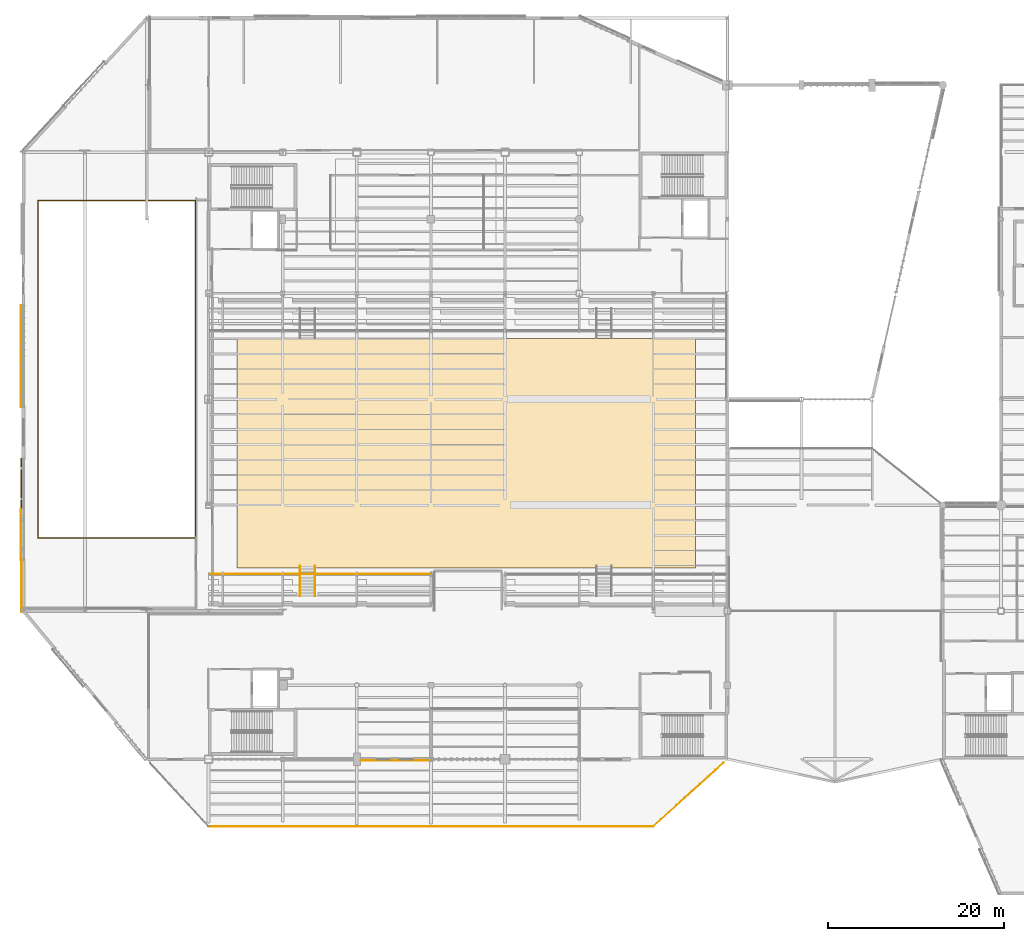
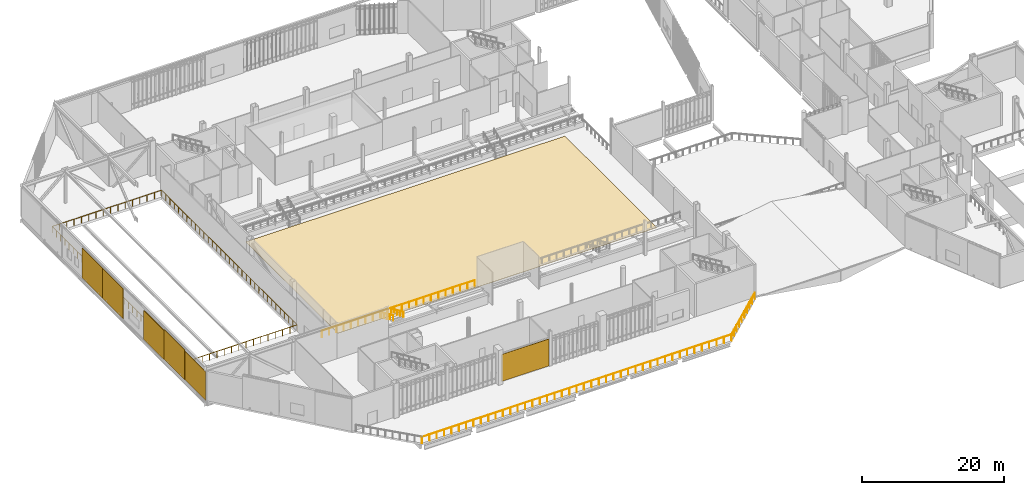
# One storey, part 122 of 135: 5 railings, 4 shading devices, 3 coverings.
"""IFC4 building model written with IfcOpenShell, lengths in metres."""

from ifc_helpers import new_model, si_unit, direction, frame, origin, origin_2d, place, context, subcontext, project, spatial, polyline, rectangle, circle, outline, extrude, material, layer, layer_set, type_object, element, save


model = new_model("IFC4")

# Units and contexts
model_context = context("Model", 3, precision=1e-05, world=origin(), true_north=direction((0.0, 1.0)))
body_context = subcontext(model_context, "Body", "Model", "MODEL_VIEW")
ifc_project = project(units=[si_unit("LENGTHUNIT", "METRE"), si_unit("AREAUNIT", "SQUARE_METRE"), si_unit("VOLUMEUNIT", "CUBIC_METRE"), si_unit("PLANEANGLEUNIT", "RADIAN"), si_unit("MASSUNIT", "GRAM", prefix="KILO")], contexts=[model_context])

# Site, building, storey
site_placement = place(None, origin())
site = spatial("IfcSite", under=ifc_project, at=site_placement, CompositionType="ELEMENT")
building_placement = place(site_placement, origin())
building = spatial("IfcBuilding", under=site, at=building_placement, Name="Larkvane Passage Sports Hall", CompositionType="ELEMENT")
storey_placement = place(building_placement, frame((0.0, 0.0, 10.800048828125)))
storey = spatial("IfcBuildingStorey", under=building, at=storey_placement, Name="L02", CompositionType="ELEMENT", Elevation=10.800048828125)

# Coverings
ifc_material_1 = material(Name="Sprung maple sports floor")
ifc_layer_1 = layer(ifc_material_1, 0.0400390625)
ifc_layer_set_1 = layer_set([ifc_layer_1], Name="Sprung maple sports floor")
covering_type_1 = type_object("IfcCoveringType", Name="COV-FLR-MAPLE", PredefinedType="FLOORING", material=ifc_layer_set_1)
covering_1_placement = place(storey_placement, origin())
element("IfcCovering", 1, at=covering_1_placement, inside=storey, type_object=covering_type_1, Name="Main show court competition maple floor", PredefinedType="FLOORING", context=body_context, shape_type="SweptSolid", body=[
    extrude(outline(polyline([(38.0, 44.5), (90.0, 44.5), (90.0, 70.5), (38.0, 70.5), (38.0, 44.5)])), origin(), (0.0, 0.0, 1.0), 0.0400390625),
])
ifc_material_2 = material(Name="Perforated anodised aluminium 5052-H32", Category="aluminium")
ifc_layer_2 = layer(ifc_material_2, 0.050048828125)
ifc_layer_set_2 = layer_set([ifc_layer_2], Name="Perforated anodised aluminium 5052-H32")
covering_type_2 = type_object("IfcCoveringType", Name="COV-MESH-VEIL", PredefinedType="CLADDING", material=ifc_layer_set_2)
covering_2_placement = place(storey_placement, frame((55.898193359375, 22.655029296875, 0.074951171875), z_axis=(0.0, 0.0, 1.0), x_axis=(-1.0, 0.0, 0.0)))
element("IfcCovering", 2, at=covering_2_placement, inside=storey, type_object=covering_type_2, Name="Perforated cladding cassette L02-148", PredefinedType="CLADDING", context=body_context, shape_type="SweptSolid", body=[
    extrude(rectangle(XDim=7.70458984375, YDim=0.050048828125, at=origin_2d()), origin(), (0.0, 0.0, 1.0), 4.64794921875),
])
covering_3_placement = place(storey_placement, frame((13.6025390625, 42.48876953125, 0.0751953125), z_axis=(0.0, 0.0, 1.0), x_axis=(0.0, 1.0, 0.0)))
element("IfcCovering", 3, at=covering_3_placement, inside=storey, type_object=covering_type_2, Name="Perforated cladding cassette L02-152", PredefinedType="CLADDING", context=body_context, shape_type="SweptSolid", body=[
    extrude(rectangle(XDim=6.009033203125, YDim=0.050048828125, at=origin_2d()), origin(), (0.0, 0.0, 1.0), 4.929931640625),
])

# Railings
ifc_material_3 = material(Name="Laminated toughened glass and stainless steel S355JR", Category="steel")
railing_type_1 = type_object("IfcRailingType", Name="RL-BALUST-1120", PredefinedType="BALUSTRADE", material=ifc_material_3)
railing_1_placement = place(storey_placement, frame((15.47998046875, 47.8798828125, 0.0)))
element("IfcRailing", 4, at=railing_1_placement, inside=storey, type_object=railing_type_1, Name="Atrium void balustrade L02-011", PredefinedType="BALUSTRADE", context=body_context, shape_type="SweptSolid", body=[
    extrude(circle(Radius=0.02392578125, at=origin_2d()), frame((0.001953125, 0.0, 1.09619140625), z_axis=(1.0, 0.0, 0.0), x_axis=(0.0, 1.0, 0.0)), (0.0, 0.0, 1.0), 17.836181640625),
    extrude(circle(Radius=0.02392578125, at=origin_2d()), frame((17.840087890625, 0.001953125, 1.09619140625), z_axis=(0.0, 1.0, 0.0), x_axis=(-1.0, 0.0, 0.0)), (0.0, 0.0, 1.0), 38.236328125),
    extrude(circle(Radius=0.02392578125, at=origin_2d()), frame((17.838134765625, 38.240234375, 1.09619140625), z_axis=(-1.0, 0.0, 0.0), x_axis=(0.0, -1.0, 0.0)), (0.0, 0.0, 1.0), 17.836181640625),
    extrude(circle(Radius=0.02392578125, at=origin_2d()), frame((0.0, 38.23828125, 1.09619140625), z_axis=(0.0, -1.0, 0.0), x_axis=(1.0, 0.0, 0.0)), (0.0, 0.0, 1.0), 38.236328125),
    extrude(circle(Radius=0.02099609375, at=origin_2d()), origin(), (0.0, 0.0, 1.0), 1.072021484375),
    extrude(circle(Radius=0.02099609375, at=origin_2d()), frame((1.189453125, 0.0, 0.0)), (0.0, 0.0, 1.0), 1.072021484375),
    extrude(circle(Radius=0.02099609375, at=origin_2d()), frame((2.378662109375, 0.0, 0.0)), (0.0, 0.0, 1.0), 1.072021484375),
    extrude(circle(Radius=0.02099609375, at=origin_2d()), frame((3.568115234375, 0.0, 0.0)), (0.0, 0.0, 1.0), 1.072021484375),
    extrude(circle(Radius=0.02099609375, at=origin_2d()), frame((4.75732421875, 0.0, 0.0)), (0.0, 0.0, 1.0), 1.072021484375),
    extrude(circle(Radius=0.02099609375, at=origin_2d()), frame((5.94677734375, 0.0, 0.0)), (0.0, 0.0, 1.0), 1.072021484375),
    extrude(circle(Radius=0.02099609375, at=origin_2d()), frame((7.135986328125, 0.0, 0.0)), (0.0, 0.0, 1.0), 1.072021484375),
    extrude(circle(Radius=0.02099609375, at=origin_2d()), frame((8.325439453125, 0.0, 0.0)), (0.0, 0.0, 1.0), 1.072021484375),
    extrude(circle(Radius=0.02099609375, at=origin_2d()), frame((9.5146484375, 0.0, 0.0)), (0.0, 0.0, 1.0), 1.072021484375),
    extrude(circle(Radius=0.02099609375, at=origin_2d()), frame((10.7041015625, 0.0, 0.0)), (0.0, 0.0, 1.0), 1.072021484375),
    extrude(circle(Radius=0.02099609375, at=origin_2d()), frame((11.893310546875, 0.0, 0.0)), (0.0, 0.0, 1.0), 1.072021484375),
    extrude(circle(Radius=0.02099609375, at=origin_2d()), frame((13.082763671875, 0.0, 0.0)), (0.0, 0.0, 1.0), 1.072021484375),
    extrude(circle(Radius=0.02099609375, at=origin_2d()), frame((14.27197265625, 0.0, 0.0)), (0.0, 0.0, 1.0), 1.072021484375),
    extrude(circle(Radius=0.02099609375, at=origin_2d()), frame((15.46142578125, 0.0, 0.0)), (0.0, 0.0, 1.0), 1.072021484375),
    extrude(circle(Radius=0.02099609375, at=origin_2d()), frame((16.650634765625, 0.0, 0.0)), (0.0, 0.0, 1.0), 1.072021484375),
    extrude(circle(Radius=0.02099609375, at=origin_2d()), frame((17.840087890625, 0.0, 0.0)), (0.0, 0.0, 1.0), 1.072021484375),
    extrude(circle(Radius=0.02099609375, at=origin_2d()), frame((17.840087890625, 1.195068359375, 0.0)), (0.0, 0.0, 1.0), 1.072021484375),
    extrude(circle(Radius=0.02099609375, at=origin_2d()), frame((17.840087890625, 2.39013671875, 0.0)), (0.0, 0.0, 1.0), 1.072021484375),
    extrude(circle(Radius=0.02099609375, at=origin_2d()), frame((17.840087890625, 3.5849609375, 0.0)), (0.0, 0.0, 1.0), 1.072021484375),
    extrude(circle(Radius=0.02099609375, at=origin_2d()), frame((17.840087890625, 4.780029296875, 0.0)), (0.0, 0.0, 1.0), 1.072021484375),
    extrude(circle(Radius=0.02099609375, at=origin_2d()), frame((17.840087890625, 5.97509765625, 0.0)), (0.0, 0.0, 1.0), 1.072021484375),
    extrude(circle(Radius=0.02099609375, at=origin_2d()), frame((17.840087890625, 7.169921875, 0.0)), (0.0, 0.0, 1.0), 1.072021484375),
    extrude(circle(Radius=0.02099609375, at=origin_2d()), frame((17.840087890625, 8.364990234375, 0.0)), (0.0, 0.0, 1.0), 1.072021484375),
    extrude(circle(Radius=0.02099609375, at=origin_2d()), frame((17.840087890625, 9.56005859375, 0.0)), (0.0, 0.0, 1.0), 1.072021484375),
    extrude(circle(Radius=0.02099609375, at=origin_2d()), frame((17.840087890625, 10.755126953125, 0.0)), (0.0, 0.0, 1.0), 1.072021484375),
    extrude(circle(Radius=0.02099609375, at=origin_2d()), frame((17.840087890625, 11.9501953125, 0.0)), (0.0, 0.0, 1.0), 1.072021484375),
    extrude(circle(Radius=0.02099609375, at=origin_2d()), frame((17.840087890625, 13.14501953125, 0.0)), (0.0, 0.0, 1.0), 1.072021484375),
    extrude(circle(Radius=0.02099609375, at=origin_2d()), frame((17.840087890625, 14.340087890625, 0.0)), (0.0, 0.0, 1.0), 1.072021484375),
    extrude(circle(Radius=0.02099609375, at=origin_2d()), frame((17.840087890625, 15.53515625, 0.0)), (0.0, 0.0, 1.0), 1.072021484375),
    extrude(circle(Radius=0.02099609375, at=origin_2d()), frame((17.840087890625, 16.72998046875, 0.0)), (0.0, 0.0, 1.0), 1.072021484375),
    extrude(circle(Radius=0.02099609375, at=origin_2d()), frame((17.840087890625, 17.925048828125, 0.0)), (0.0, 0.0, 1.0), 1.072021484375),
    extrude(circle(Radius=0.02099609375, at=origin_2d()), frame((17.840087890625, 19.1201171875, 0.0)), (0.0, 0.0, 1.0), 1.072021484375),
    extrude(circle(Radius=0.02099609375, at=origin_2d()), frame((17.840087890625, 20.315185546875, 0.0)), (0.0, 0.0, 1.0), 1.072021484375),
    extrude(circle(Radius=0.02099609375, at=origin_2d()), frame((17.840087890625, 21.51025390625, 0.0)), (0.0, 0.0, 1.0), 1.072021484375),
    extrude(circle(Radius=0.02099609375, at=origin_2d()), frame((17.840087890625, 22.705078125, 0.0)), (0.0, 0.0, 1.0), 1.072021484375),
    extrude(circle(Radius=0.02099609375, at=origin_2d()), frame((17.840087890625, 23.900146484375, 0.0)), (0.0, 0.0, 1.0), 1.072021484375),
    extrude(circle(Radius=0.02099609375, at=origin_2d()), frame((17.840087890625, 25.09521484375, 0.0)), (0.0, 0.0, 1.0), 1.072021484375),
    extrude(circle(Radius=0.02099609375, at=origin_2d()), frame((17.840087890625, 26.2900390625, 0.0)), (0.0, 0.0, 1.0), 1.072021484375),
    extrude(circle(Radius=0.02099609375, at=origin_2d()), frame((17.840087890625, 27.485107421875, 0.0)), (0.0, 0.0, 1.0), 1.072021484375),
    extrude(circle(Radius=0.02099609375, at=origin_2d()), frame((17.840087890625, 28.68017578125, 0.0)), (0.0, 0.0, 1.0), 1.072021484375),
    extrude(circle(Radius=0.02099609375, at=origin_2d()), frame((17.840087890625, 29.875244140625, 0.0)), (0.0, 0.0, 1.0), 1.072021484375),
    extrude(circle(Radius=0.02099609375, at=origin_2d()), frame((17.840087890625, 31.0703125, 0.0)), (0.0, 0.0, 1.0), 1.072021484375),
    extrude(circle(Radius=0.02099609375, at=origin_2d()), frame((17.840087890625, 32.26513671875, 0.0)), (0.0, 0.0, 1.0), 1.072021484375),
    extrude(circle(Radius=0.02099609375, at=origin_2d()), frame((17.840087890625, 33.460205078125, 0.0)), (0.0, 0.0, 1.0), 1.072021484375),
    extrude(circle(Radius=0.02099609375, at=origin_2d()), frame((17.840087890625, 34.6552734375, 0.0)), (0.0, 0.0, 1.0), 1.072021484375),
    extrude(circle(Radius=0.02099609375, at=origin_2d()), frame((17.840087890625, 35.85009765625, 0.0)), (0.0, 0.0, 1.0), 1.072021484375),
    extrude(circle(Radius=0.02099609375, at=origin_2d()), frame((17.840087890625, 37.045166015625, 0.0)), (0.0, 0.0, 1.0), 1.072021484375),
    extrude(circle(Radius=0.02099609375, at=origin_2d()), frame((17.840087890625, 38.240234375, 0.0)), (0.0, 0.0, 1.0), 1.072021484375),
    extrude(circle(Radius=0.02099609375, at=origin_2d()), frame((16.650634765625, 38.240234375, 0.0)), (0.0, 0.0, 1.0), 1.072021484375),
    extrude(circle(Radius=0.02099609375, at=origin_2d()), frame((15.46142578125, 38.240234375, 0.0)), (0.0, 0.0, 1.0), 1.072021484375),
    extrude(circle(Radius=0.02099609375, at=origin_2d()), frame((14.27197265625, 38.240234375, 0.0)), (0.0, 0.0, 1.0), 1.072021484375),
    extrude(circle(Radius=0.02099609375, at=origin_2d()), frame((13.082763671875, 38.240234375, 0.0)), (0.0, 0.0, 1.0), 1.072021484375),
    extrude(circle(Radius=0.02099609375, at=origin_2d()), frame((11.893310546875, 38.240234375, 0.0)), (0.0, 0.0, 1.0), 1.072021484375),
    extrude(circle(Radius=0.02099609375, at=origin_2d()), frame((10.7041015625, 38.240234375, 0.0)), (0.0, 0.0, 1.0), 1.072021484375),
    extrude(circle(Radius=0.02099609375, at=origin_2d()), frame((9.5146484375, 38.240234375, 0.0)), (0.0, 0.0, 1.0), 1.072021484375),
    extrude(circle(Radius=0.02099609375, at=origin_2d()), frame((8.325439453125, 38.240234375, 0.0)), (0.0, 0.0, 1.0), 1.072021484375),
    extrude(circle(Radius=0.02099609375, at=origin_2d()), frame((7.135986328125, 38.240234375, 0.0)), (0.0, 0.0, 1.0), 1.072021484375),
    extrude(circle(Radius=0.02099609375, at=origin_2d()), frame((5.94677734375, 38.240234375, 0.0)), (0.0, 0.0, 1.0), 1.072021484375),
    extrude(circle(Radius=0.02099609375, at=origin_2d()), frame((4.75732421875, 38.240234375, 0.0)), (0.0, 0.0, 1.0), 1.072021484375),
    extrude(circle(Radius=0.02099609375, at=origin_2d()), frame((3.568115234375, 38.240234375, 0.0)), (0.0, 0.0, 1.0), 1.072021484375),
    extrude(circle(Radius=0.02099609375, at=origin_2d()), frame((2.378662109375, 38.240234375, 0.0)), (0.0, 0.0, 1.0), 1.072021484375),
    extrude(circle(Radius=0.02099609375, at=origin_2d()), frame((1.189453125, 38.240234375, 0.0)), (0.0, 0.0, 1.0), 1.072021484375),
    extrude(circle(Radius=0.02099609375, at=origin_2d()), frame((0.0, 38.240234375, 0.0)), (0.0, 0.0, 1.0), 1.072021484375),
    extrude(circle(Radius=0.02099609375, at=origin_2d()), frame((0.0, 37.045166015625, 0.0)), (0.0, 0.0, 1.0), 1.072021484375),
    extrude(circle(Radius=0.02099609375, at=origin_2d()), frame((0.0, 35.85009765625, 0.0)), (0.0, 0.0, 1.0), 1.072021484375),
    extrude(circle(Radius=0.02099609375, at=origin_2d()), frame((0.0, 34.6552734375, 0.0)), (0.0, 0.0, 1.0), 1.072021484375),
    extrude(circle(Radius=0.02099609375, at=origin_2d()), frame((0.0, 33.460205078125, 0.0)), (0.0, 0.0, 1.0), 1.072021484375),
    extrude(circle(Radius=0.02099609375, at=origin_2d()), frame((0.0, 32.26513671875, 0.0)), (0.0, 0.0, 1.0), 1.072021484375),
    extrude(circle(Radius=0.02099609375, at=origin_2d()), frame((0.0, 31.0703125, 0.0)), (0.0, 0.0, 1.0), 1.072021484375),
    extrude(circle(Radius=0.02099609375, at=origin_2d()), frame((0.0, 29.875244140625, 0.0)), (0.0, 0.0, 1.0), 1.072021484375),
    extrude(circle(Radius=0.02099609375, at=origin_2d()), frame((0.0, 28.68017578125, 0.0)), (0.0, 0.0, 1.0), 1.072021484375),
    extrude(circle(Radius=0.02099609375, at=origin_2d()), frame((0.0, 27.485107421875, 0.0)), (0.0, 0.0, 1.0), 1.072021484375),
    extrude(circle(Radius=0.02099609375, at=origin_2d()), frame((0.0, 26.2900390625, 0.0)), (0.0, 0.0, 1.0), 1.072021484375),
    extrude(circle(Radius=0.02099609375, at=origin_2d()), frame((0.0, 25.09521484375, 0.0)), (0.0, 0.0, 1.0), 1.072021484375),
    extrude(circle(Radius=0.02099609375, at=origin_2d()), frame((0.0, 23.900146484375, 0.0)), (0.0, 0.0, 1.0), 1.072021484375),
    extrude(circle(Radius=0.02099609375, at=origin_2d()), frame((0.0, 22.705078125, 0.0)), (0.0, 0.0, 1.0), 1.072021484375),
    extrude(circle(Radius=0.02099609375, at=origin_2d()), frame((0.0, 21.51025390625, 0.0)), (0.0, 0.0, 1.0), 1.072021484375),
    extrude(circle(Radius=0.02099609375, at=origin_2d()), frame((0.0, 20.315185546875, 0.0)), (0.0, 0.0, 1.0), 1.072021484375),
    extrude(circle(Radius=0.02099609375, at=origin_2d()), frame((0.0, 19.1201171875, 0.0)), (0.0, 0.0, 1.0), 1.072021484375),
    extrude(circle(Radius=0.02099609375, at=origin_2d()), frame((0.0, 17.925048828125, 0.0)), (0.0, 0.0, 1.0), 1.072021484375),
    extrude(circle(Radius=0.02099609375, at=origin_2d()), frame((0.0, 16.72998046875, 0.0)), (0.0, 0.0, 1.0), 1.072021484375),
    extrude(circle(Radius=0.02099609375, at=origin_2d()), frame((0.0, 15.53515625, 0.0)), (0.0, 0.0, 1.0), 1.072021484375),
    extrude(circle(Radius=0.02099609375, at=origin_2d()), frame((0.0, 14.340087890625, 0.0)), (0.0, 0.0, 1.0), 1.072021484375),
    extrude(circle(Radius=0.02099609375, at=origin_2d()), frame((0.0, 13.14501953125, 0.0)), (0.0, 0.0, 1.0), 1.072021484375),
    extrude(circle(Radius=0.02099609375, at=origin_2d()), frame((0.0, 11.9501953125, 0.0)), (0.0, 0.0, 1.0), 1.072021484375),
    extrude(circle(Radius=0.02099609375, at=origin_2d()), frame((0.0, 10.755126953125, 0.0)), (0.0, 0.0, 1.0), 1.072021484375),
    extrude(circle(Radius=0.02099609375, at=origin_2d()), frame((0.0, 9.56005859375, 0.0)), (0.0, 0.0, 1.0), 1.072021484375),
    extrude(circle(Radius=0.02099609375, at=origin_2d()), frame((0.0, 8.364990234375, 0.0)), (0.0, 0.0, 1.0), 1.072021484375),
    extrude(circle(Radius=0.02099609375, at=origin_2d()), frame((0.0, 7.169921875, 0.0)), (0.0, 0.0, 1.0), 1.072021484375),
    extrude(circle(Radius=0.02099609375, at=origin_2d()), frame((0.0, 5.97509765625, 0.0)), (0.0, 0.0, 1.0), 1.072021484375),
    extrude(circle(Radius=0.02099609375, at=origin_2d()), frame((0.0, 4.780029296875, 0.0)), (0.0, 0.0, 1.0), 1.072021484375),
    extrude(circle(Radius=0.02099609375, at=origin_2d()), frame((0.0, 3.5849609375, 0.0)), (0.0, 0.0, 1.0), 1.072021484375),
    extrude(circle(Radius=0.02099609375, at=origin_2d()), frame((0.0, 2.39013671875, 0.0)), (0.0, 0.0, 1.0), 1.072021484375),
    extrude(circle(Radius=0.02099609375, at=origin_2d()), frame((0.0, 1.195068359375, 0.0)), (0.0, 0.0, 1.0), 1.072021484375),
])
railing_2_placement = place(storey_placement, frame((35.0, 43.800048828125, 0.849853515625)))
element("IfcRailing", 5, at=railing_2_placement, inside=storey, type_object=railing_type_1, Name="Spectator stand front sightline guard SW", PredefinedType="BALUSTRADE", context=body_context, shape_type="SweptSolid", body=[
    extrude(circle(Radius=0.02392578125, at=origin_2d()), frame((0.001953125, 0.0, 1.09619140625), z_axis=(1.0, 0.0, 0.0), x_axis=(0.0, 1.0, 0.0)), (0.0, 0.0, 1.0), 24.89599609375),
    extrude(circle(Radius=0.02099609375, at=origin_2d()), origin(), (0.0, 0.0, 1.0), 1.072021484375),
    extrude(circle(Radius=0.02099609375, at=origin_2d()), frame((1.185791015625, 0.0, 0.0)), (0.0, 0.0, 1.0), 1.072021484375),
    extrude(circle(Radius=0.02099609375, at=origin_2d()), frame((2.371337890625, 0.0, 0.0)), (0.0, 0.0, 1.0), 1.072021484375),
    extrude(circle(Radius=0.02099609375, at=origin_2d()), frame((3.55712890625, 0.0, 0.0)), (0.0, 0.0, 1.0), 1.072021484375),
    extrude(circle(Radius=0.02099609375, at=origin_2d()), frame((4.742919921875, 0.0, 0.0)), (0.0, 0.0, 1.0), 1.072021484375),
    extrude(circle(Radius=0.02099609375, at=origin_2d()), frame((5.928466796875, 0.0, 0.0)), (0.0, 0.0, 1.0), 1.072021484375),
    extrude(circle(Radius=0.02099609375, at=origin_2d()), frame((7.1142578125, 0.0, 0.0)), (0.0, 0.0, 1.0), 1.072021484375),
    extrude(circle(Radius=0.02099609375, at=origin_2d()), frame((8.300048828125, 0.0, 0.0)), (0.0, 0.0, 1.0), 1.072021484375),
    extrude(circle(Radius=0.02099609375, at=origin_2d()), frame((9.485595703125, 0.0, 0.0)), (0.0, 0.0, 1.0), 1.072021484375),
    extrude(circle(Radius=0.02099609375, at=origin_2d()), frame((10.67138671875, 0.0, 0.0)), (0.0, 0.0, 1.0), 1.072021484375),
    extrude(circle(Radius=0.02099609375, at=origin_2d()), frame((11.857177734375, 0.0, 0.0)), (0.0, 0.0, 1.0), 1.072021484375),
    extrude(circle(Radius=0.02099609375, at=origin_2d()), frame((13.042724609375, 0.0, 0.0)), (0.0, 0.0, 1.0), 1.072021484375),
    extrude(circle(Radius=0.02099609375, at=origin_2d()), frame((14.228515625, 0.0, 0.0)), (0.0, 0.0, 1.0), 1.072021484375),
    extrude(circle(Radius=0.02099609375, at=origin_2d()), frame((15.414306640625, 0.0, 0.0)), (0.0, 0.0, 1.0), 1.072021484375),
    extrude(circle(Radius=0.02099609375, at=origin_2d()), frame((16.599853515625, 0.0, 0.0)), (0.0, 0.0, 1.0), 1.072021484375),
    extrude(circle(Radius=0.02099609375, at=origin_2d()), frame((17.78564453125, 0.0, 0.0)), (0.0, 0.0, 1.0), 1.072021484375),
    extrude(circle(Radius=0.02099609375, at=origin_2d()), frame((18.971435546875, 0.0, 0.0)), (0.0, 0.0, 1.0), 1.072021484375),
    extrude(circle(Radius=0.02099609375, at=origin_2d()), frame((20.156982421875, 0.0, 0.0)), (0.0, 0.0, 1.0), 1.072021484375),
    extrude(circle(Radius=0.02099609375, at=origin_2d()), frame((21.3427734375, 0.0, 0.0)), (0.0, 0.0, 1.0), 1.072021484375),
    extrude(circle(Radius=0.02099609375, at=origin_2d()), frame((22.528564453125, 0.0, 0.0)), (0.0, 0.0, 1.0), 1.072021484375),
    extrude(circle(Radius=0.02099609375, at=origin_2d()), frame((23.714111328125, 0.0, 0.0)), (0.0, 0.0, 1.0), 1.072021484375),
    extrude(circle(Radius=0.02099609375, at=origin_2d()), frame((24.89990234375, 0.0, 0.0)), (0.0, 0.0, 1.0), 1.072021484375),
])
ifc_material_4 = material(Name="Steel S355JR", Category="steel")
railing_type_2 = type_object("IfcRailingType", Name="RL-GUARD-1120", PredefinedType="GUARDRAIL", material=ifc_material_4)
railing_3_placement = place(storey_placement, frame((34.800048828125, 15.199951171875, 0.0)))
element("IfcRailing", 6, at=railing_3_placement, inside=storey, type_object=railing_type_2, Name="Terrace perimeter guardrail L02-009", PredefinedType="GUARDRAIL", context=body_context, shape_type="SweptSolid", body=[
    extrude(circle(Radius=0.02392578125, at=origin_2d()), frame((0.001953125, 0.0, 1.09619140625), z_axis=(1.0, 0.0, 0.0), x_axis=(0.0, 1.0, 0.0)), (0.0, 0.0, 1.0), 50.39599609375),
    extrude(circle(Radius=0.02392578125, at=origin_2d()), frame((50.4013671875, 0.001220703125, 1.09619140625), z_axis=(0.74154929023, 0.670898390339, 0.0), x_axis=(-0.670898390339, 0.74154929023, 0.0)), (0.0, 0.0, 1.0), 10.697998046875),
    extrude(circle(Radius=0.02099609375, at=origin_2d()), origin(), (0.0, 0.0, 1.0), 1.072021484375),
    extrude(circle(Radius=0.02099609375, at=origin_2d()), frame((1.199951171875, 0.0, 0.0)), (0.0, 0.0, 1.0), 1.072021484375),
    extrude(circle(Radius=0.02099609375, at=origin_2d()), frame((2.39990234375, 0.0, 0.0)), (0.0, 0.0, 1.0), 1.072021484375),
    extrude(circle(Radius=0.02099609375, at=origin_2d()), frame((3.60009765625, 0.0, 0.0)), (0.0, 0.0, 1.0), 1.072021484375),
    extrude(circle(Radius=0.02099609375, at=origin_2d()), frame((4.800048828125, 0.0, 0.0)), (0.0, 0.0, 1.0), 1.072021484375),
    extrude(circle(Radius=0.02099609375, at=origin_2d()), frame((6.0, 0.0, 0.0)), (0.0, 0.0, 1.0), 1.072021484375),
    extrude(circle(Radius=0.02099609375, at=origin_2d()), frame((7.199951171875, 0.0, 0.0)), (0.0, 0.0, 1.0), 1.072021484375),
    extrude(circle(Radius=0.02099609375, at=origin_2d()), frame((8.39990234375, 0.0, 0.0)), (0.0, 0.0, 1.0), 1.072021484375),
    extrude(circle(Radius=0.02099609375, at=origin_2d()), frame((9.60009765625, 0.0, 0.0)), (0.0, 0.0, 1.0), 1.072021484375),
    extrude(circle(Radius=0.02099609375, at=origin_2d()), frame((10.800048828125, 0.0, 0.0)), (0.0, 0.0, 1.0), 1.072021484375),
    extrude(circle(Radius=0.02099609375, at=origin_2d()), frame((12.0, 0.0, 0.0)), (0.0, 0.0, 1.0), 1.072021484375),
    extrude(circle(Radius=0.02099609375, at=origin_2d()), frame((13.199951171875, 0.0, 0.0)), (0.0, 0.0, 1.0), 1.072021484375),
    extrude(circle(Radius=0.02099609375, at=origin_2d()), frame((14.39990234375, 0.0, 0.0)), (0.0, 0.0, 1.0), 1.072021484375),
    extrude(circle(Radius=0.02099609375, at=origin_2d()), frame((15.599853515625, 0.0, 0.0)), (0.0, 0.0, 1.0), 1.072021484375),
    extrude(circle(Radius=0.02099609375, at=origin_2d()), frame((16.800048828125, 0.0, 0.0)), (0.0, 0.0, 1.0), 1.072021484375),
    extrude(circle(Radius=0.02099609375, at=origin_2d()), frame((18.0, 0.0, 0.0)), (0.0, 0.0, 1.0), 1.072021484375),
    extrude(circle(Radius=0.02099609375, at=origin_2d()), frame((19.199951171875, 0.0, 0.0)), (0.0, 0.0, 1.0), 1.072021484375),
    extrude(circle(Radius=0.02099609375, at=origin_2d()), frame((20.39990234375, 0.0, 0.0)), (0.0, 0.0, 1.0), 1.072021484375),
    extrude(circle(Radius=0.02099609375, at=origin_2d()), frame((21.599853515625, 0.0, 0.0)), (0.0, 0.0, 1.0), 1.072021484375),
    extrude(circle(Radius=0.02099609375, at=origin_2d()), frame((22.800048828125, 0.0, 0.0)), (0.0, 0.0, 1.0), 1.072021484375),
    extrude(circle(Radius=0.02099609375, at=origin_2d()), frame((24.0, 0.0, 0.0)), (0.0, 0.0, 1.0), 1.072021484375),
    extrude(circle(Radius=0.02099609375, at=origin_2d()), frame((25.199951171875, 0.0, 0.0)), (0.0, 0.0, 1.0), 1.072021484375),
    extrude(circle(Radius=0.02099609375, at=origin_2d()), frame((26.39990234375, 0.0, 0.0)), (0.0, 0.0, 1.0), 1.072021484375),
    extrude(circle(Radius=0.02099609375, at=origin_2d()), frame((27.599853515625, 0.0, 0.0)), (0.0, 0.0, 1.0), 1.072021484375),
    extrude(circle(Radius=0.02099609375, at=origin_2d()), frame((28.800048828125, 0.0, 0.0)), (0.0, 0.0, 1.0), 1.072021484375),
    extrude(circle(Radius=0.02099609375, at=origin_2d()), frame((30.0, 0.0, 0.0)), (0.0, 0.0, 1.0), 1.072021484375),
    extrude(circle(Radius=0.02099609375, at=origin_2d()), frame((31.199951171875, 0.0, 0.0)), (0.0, 0.0, 1.0), 1.072021484375),
    extrude(circle(Radius=0.02099609375, at=origin_2d()), frame((32.39990234375, 0.0, 0.0)), (0.0, 0.0, 1.0), 1.072021484375),
    extrude(circle(Radius=0.02099609375, at=origin_2d()), frame((33.599853515625, 0.0, 0.0)), (0.0, 0.0, 1.0), 1.072021484375),
    extrude(circle(Radius=0.02099609375, at=origin_2d()), frame((34.800048828125, 0.0, 0.0)), (0.0, 0.0, 1.0), 1.072021484375),
    extrude(circle(Radius=0.02099609375, at=origin_2d()), frame((36.0, 0.0, 0.0)), (0.0, 0.0, 1.0), 1.072021484375),
    extrude(circle(Radius=0.02099609375, at=origin_2d()), frame((37.199951171875, 0.0, 0.0)), (0.0, 0.0, 1.0), 1.072021484375),
    extrude(circle(Radius=0.02099609375, at=origin_2d()), frame((38.39990234375, 0.0, 0.0)), (0.0, 0.0, 1.0), 1.072021484375),
    extrude(circle(Radius=0.02099609375, at=origin_2d()), frame((39.599853515625, 0.0, 0.0)), (0.0, 0.0, 1.0), 1.072021484375),
    extrude(circle(Radius=0.02099609375, at=origin_2d()), frame((40.7998046875, 0.0, 0.0)), (0.0, 0.0, 1.0), 1.072021484375),
    extrude(circle(Radius=0.02099609375, at=origin_2d()), frame((42.0, 0.0, 0.0)), (0.0, 0.0, 1.0), 1.072021484375),
    extrude(circle(Radius=0.02099609375, at=origin_2d()), frame((43.199951171875, 0.0, 0.0)), (0.0, 0.0, 1.0), 1.072021484375),
    extrude(circle(Radius=0.02099609375, at=origin_2d()), frame((44.39990234375, 0.0, 0.0)), (0.0, 0.0, 1.0), 1.072021484375),
    extrude(circle(Radius=0.02099609375, at=origin_2d()), frame((45.599853515625, 0.0, 0.0)), (0.0, 0.0, 1.0), 1.072021484375),
    extrude(circle(Radius=0.02099609375, at=origin_2d()), frame((46.7998046875, 0.0, 0.0)), (0.0, 0.0, 1.0), 1.072021484375),
    extrude(circle(Radius=0.02099609375, at=origin_2d()), frame((48.0, 0.0, 0.0)), (0.0, 0.0, 1.0), 1.072021484375),
    extrude(circle(Radius=0.02099609375, at=origin_2d()), frame((49.199951171875, 0.0, 0.0)), (0.0, 0.0, 1.0), 1.072021484375),
    extrude(circle(Radius=0.02099609375, at=origin_2d()), frame((50.39990234375, 0.0, 0.0)), (0.0, 0.0, 1.0), 1.072021484375),
    extrude(circle(Radius=0.02099609375, at=origin_2d()), frame((51.28173828125, 0.7978515625, 0.0)), (0.0, 0.0, 1.0), 1.072021484375),
    extrude(circle(Radius=0.02099609375, at=origin_2d()), frame((52.16357421875, 1.595458984375, 0.0)), (0.0, 0.0, 1.0), 1.072021484375),
    extrude(circle(Radius=0.02099609375, at=origin_2d()), frame((53.045166015625, 2.393310546875, 0.0)), (0.0, 0.0, 1.0), 1.072021484375),
    extrude(circle(Radius=0.02099609375, at=origin_2d()), frame((53.927001953125, 3.191162109375, 0.0)), (0.0, 0.0, 1.0), 1.072021484375),
    extrude(circle(Radius=0.02099609375, at=origin_2d()), frame((54.808837890625, 3.98876953125, 0.0)), (0.0, 0.0, 1.0), 1.072021484375),
    extrude(circle(Radius=0.02099609375, at=origin_2d()), frame((55.690673828125, 4.78662109375, 0.0)), (0.0, 0.0, 1.0), 1.072021484375),
    extrude(circle(Radius=0.02099609375, at=origin_2d()), frame((56.572265625, 5.58447265625, 0.0)), (0.0, 0.0, 1.0), 1.072021484375),
    extrude(circle(Radius=0.02099609375, at=origin_2d()), frame((57.4541015625, 6.382080078125, 0.0)), (0.0, 0.0, 1.0), 1.072021484375),
    extrude(circle(Radius=0.02099609375, at=origin_2d()), frame((58.3359375, 7.179931640625, 0.0)), (0.0, 0.0, 1.0), 1.072021484375),
])
ifc_material_5 = material(Name="Stainless steel S355JR", Category="steel")
railing_type_3 = type_object("IfcRailingType", Name="RL-HAND-920", PredefinedType="HANDRAIL", material=ifc_material_5)
for number, where, name in (
    (7, (46.85009765625, 44.68994140625, 0.153564453125), "Spectator stair handrail ST-B1-L"),
    (8, (45.14990234375, 44.68994140625, 0.153564453125), "Spectator stair handrail ST-B1-R"),
):
    element("IfcRailing", number, at=place(storey_placement, frame(where)), inside=storey, type_object=railing_type_3, Name=name, PredefinedType="HANDRAIL", context=body_context, shape_type="SweptSolid", body=[
        extrude(circle(Radius=0.02392578125, at=origin_2d()), frame((0.0, -0.001708984375, 0.876708984375), z_axis=(0.0, -0.91127635095, 0.411795352329), x_axis=(1.0, 0.0, 0.0)), (0.0, 0.0, 1.0), 3.726806640625),
        extrude(circle(Radius=0.02099609375, at=origin_2d()), origin(), (0.0, 0.0, 1.0), 0.851806640625),
        extrude(circle(Radius=0.02099609375, at=origin_2d()), frame((0.0, -0.85009765625, 0.384033203125)), (0.0, 0.0, 1.0), 0.851806640625),
        extrude(circle(Radius=0.02099609375, at=origin_2d()), frame((0.0, -1.699951171875, 0.76806640625)), (0.0, 0.0, 1.0), 0.851806640625),
        extrude(circle(Radius=0.02099609375, at=origin_2d()), frame((0.0, -2.5498046875, 1.15234375)), (0.0, 0.0, 1.0), 0.851806640625),
        extrude(circle(Radius=0.02099609375, at=origin_2d()), frame((0.0, -3.39990234375, 1.536376953125)), (0.0, 0.0, 1.0), 0.851806640625),
    ])

# Shading devices
ifc_material_6 = material(Name="Extruded aluminium 6063-T6", Category="aluminium")
ifc_layer_3 = layer(ifc_material_6, 0.1201171875)
ifc_layer_set_3 = layer_set([ifc_layer_3], Name="Extruded aluminium 6063-T6")
shading_device_type_1 = type_object("IfcShadingDeviceType", Name="SHD-LOUVRE-STORM", PredefinedType="JALOUSIE", material=ifc_layer_set_3)
shading_device_placement = place(storey_placement, frame((13.56005859375, 54.04443359375, 0.06005859375), z_axis=(0.0, 0.0, 1.0), x_axis=(0.0, 1.0, 0.0)))
element("IfcShadingDevice", 9, at=shading_device_placement, inside=storey, type_object=shading_device_type_1, Name="Solar veil screen L02-063", PredefinedType="JALOUSIE", context=body_context, shape_type="SweptSolid", body=[
    extrude(rectangle(XDim=5.77783203125, YDim=0.1201171875, at=origin_2d()), origin(), (0.0, 0.0, 1.0), 4.9599609375),
])
ifc_layer_4 = layer(ifc_material_2, 0.06005859375)
ifc_layer_set_4 = layer_set([ifc_layer_4], Name="Perforated anodised aluminium 5052-H32")
shading_device_type_2 = type_object("IfcShadingDeviceType", Name="SHD-VEIL-PERF", PredefinedType="SHUTTER", material=ifc_layer_set_4)
for number, where, z_axis, x_axis, name in (
    (10, (13.56005859375, 48.2666015625, 0.06005859375), (0.0, 0.0, 1.0), (0.0, 1.0, 0.0), "Solar veil screen L02-062"),
    (11, (13.56005859375, 65.60009765625, 0.06005859375), (0.0, 0.0, 1.0), (0.0, 1.0, 0.0), "Solar veil screen L02-064"),
    (12, (13.56005859375, 71.377685546875, 0.06005859375), (0.0, 0.0, 1.0), (0.0, 1.0, 0.0), "Solar veil screen L02-065"),
):
    element("IfcShadingDevice", number, at=place(storey_placement, frame(where, z_axis=z_axis, x_axis=x_axis)), inside=storey, type_object=shading_device_type_2, Name=name, PredefinedType="SHUTTER", context=body_context, shape_type="SweptSolid", body=[
        extrude(rectangle(XDim=5.77783203125, YDim=0.06005859375, at=origin_2d()), origin(), (0.0, 0.0, 1.0), 5.157958984375),
    ])

save(model, "model.ifc")
